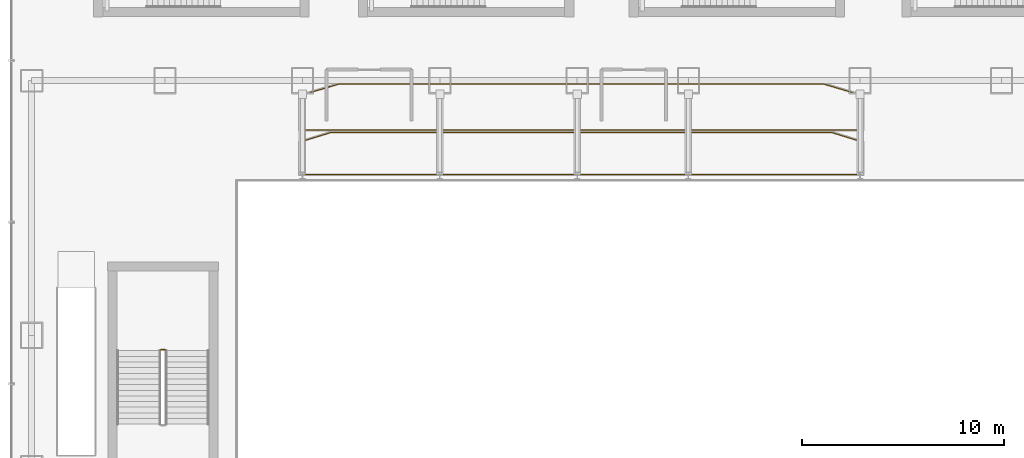
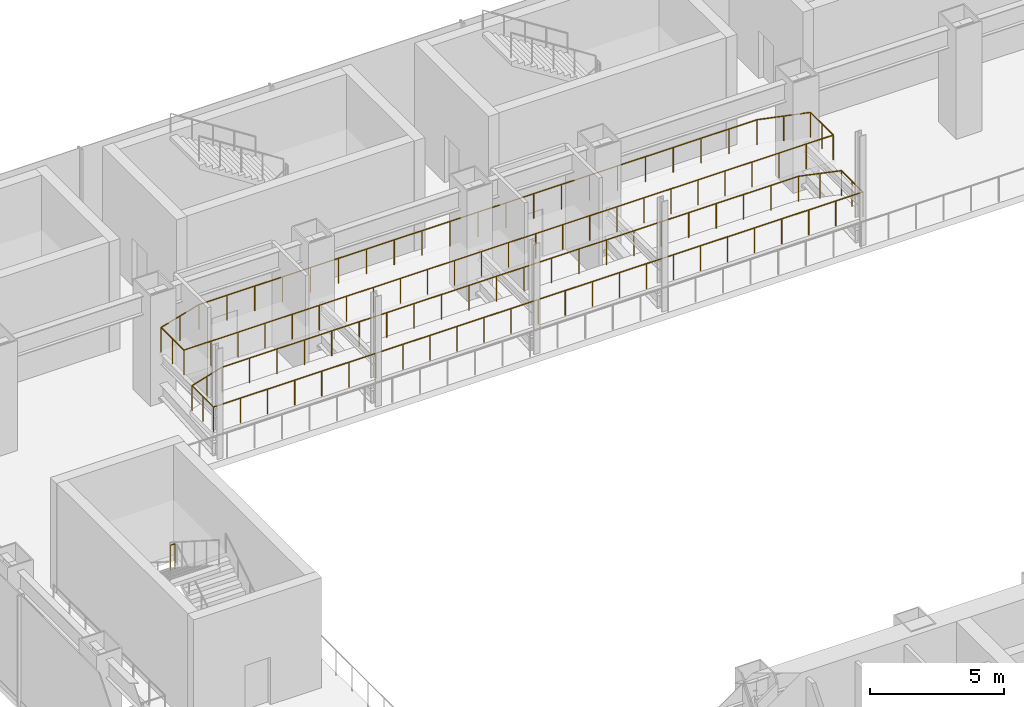
# One storey, part 35 of 39: 3 railings.
"""IFC4 building model written with IfcOpenShell, lengths in metres."""

from ifc_helpers import new_model, si_unit, derived_unit, direction, frame, origin, origin_2d, place, context, subcontext, project, spatial, circle, extrude, material, type_object, element, save


model = new_model("IFC4")

# Units and contexts
model_context = context("Model", 3, precision=1e-05, world=origin(), true_north=direction((0.0, 1.0)))
body_context = subcontext(model_context, "Body", "Model", "MODEL_VIEW")
ifc_project = project(units=[si_unit("LENGTHUNIT", "METRE"), si_unit("AREAUNIT", "SQUARE_METRE"), si_unit("VOLUMEUNIT", "CUBIC_METRE"), si_unit("PLANEANGLEUNIT", "RADIAN"), si_unit("MASSUNIT", "GRAM", prefix="KILO"), derived_unit("THERMALTRANSMITTANCEUNIT", [(si_unit("POWERUNIT", "WATT"), 1), (si_unit("LENGTHUNIT", "METRE"), -2), (si_unit("THERMODYNAMICTEMPERATUREUNIT", "KELVIN"), -1)])], contexts=[model_context])

# Site, building, storey
site_placement = place(None, origin())
site = spatial("IfcSite", under=ifc_project, at=site_placement, CompositionType="ELEMENT")
building_placement = place(site_placement, origin())
building = spatial("IfcBuilding", under=site, at=building_placement, Name="Skarnbrae Concourse Arena and Tower", CompositionType="ELEMENT")
storey_placement = place(building_placement, frame((0.0, 0.0, 11.0)))
storey = spatial("IfcBuildingStorey", under=building, at=storey_placement, Name="L02", CompositionType="ELEMENT", Elevation=11.0)

# Railings
ifc_material = material(Name="Steel CSA G40.21 350W", Category="steel")
railing_type_1 = type_object("IfcRailingType", Name="RAIL-GUARD-1150", PredefinedType="GUARDRAIL", material=ifc_material)
railing_1_placement = place(storey_placement, frame((14.260009765625, 42.360107421875, 1.1201171875)))
element("IfcRailing", 1, at=railing_1_placement, inside=storey, type_object=railing_type_1, Name="L02 Arena seating tier lower terrace guardrail", PredefinedType="GUARDRAIL", context=body_context, shape_type="SweptSolid", body=[
    extrude(circle(Radius=0.02392578125, at=origin_2d()), frame((0.0, 0.0, 1.1259765625), z_axis=(1.0, 0.0, 0.0), x_axis=(0.0, 1.0, 0.0)), (0.0, 0.0, 1.0), 27.8798828125),
    extrude(circle(Radius=0.02392578125, at=origin_2d()), frame((27.8798828125, 0.0, 1.1259765625), z_axis=(0.0, 1.0, 0.0), x_axis=(-1.0, 0.0, 0.0)), (0.0, 0.0, 1.0), 1.599853515625),
    extrude(circle(Radius=0.02392578125, at=origin_2d()), frame((27.8798828125, 1.599853515625, 1.1259765625), z_axis=(-0.955772539449, 0.29410687315, 0.0), x_axis=(-0.29410687315, -0.955772539449, 0.0)), (0.0, 0.0, 1.0), 1.632080078125),
    extrude(circle(Radius=0.02392578125, at=origin_2d()), frame((26.320068359375, 2.079833984375, 1.1259765625), z_axis=(-1.0, 0.0, 0.0), x_axis=(0.0, -1.0, 0.0)), (0.0, 0.0, 1.0), 24.760009765625),
    extrude(circle(Radius=0.02392578125, at=origin_2d()), frame((1.56005859375, 2.079833984375, 1.1259765625), z_axis=(-0.955785476607, -0.294064827388, 0.0), x_axis=(0.294064827388, -0.955785476607, 0.0)), (0.0, 0.0, 1.0), 1.63232421875),
    extrude(circle(Radius=0.02392578125, at=origin_2d()), frame((0.0, 1.599853515625, 1.1259765625), z_axis=(0.0, -1.0, 0.0), x_axis=(1.0, 0.0, 0.0)), (0.0, 0.0, 1.0), 1.599853515625),
    extrude(circle(Radius=0.02099609375, at=origin_2d()), origin(), (0.0, 0.0, 1.0), 1.101806640625),
    extrude(circle(Radius=0.02099609375, at=origin_2d()), frame((1.16162109375, 0.0, 0.0)), (0.0, 0.0, 1.0), 1.101806640625),
    extrude(circle(Radius=0.02099609375, at=origin_2d()), frame((2.3232421875, 0.0, 0.0)), (0.0, 0.0, 1.0), 1.101806640625),
    extrude(circle(Radius=0.02099609375, at=origin_2d()), frame((3.48486328125, 0.0, 0.0)), (0.0, 0.0, 1.0), 1.101806640625),
    extrude(circle(Radius=0.02099609375, at=origin_2d()), frame((4.646728515625, 0.0, 0.0)), (0.0, 0.0, 1.0), 1.101806640625),
    extrude(circle(Radius=0.02099609375, at=origin_2d()), frame((5.808349609375, 0.0, 0.0)), (0.0, 0.0, 1.0), 1.101806640625),
    extrude(circle(Radius=0.02099609375, at=origin_2d()), frame((6.969970703125, 0.0, 0.0)), (0.0, 0.0, 1.0), 1.101806640625),
    extrude(circle(Radius=0.02099609375, at=origin_2d()), frame((8.131591796875, 0.0, 0.0)), (0.0, 0.0, 1.0), 1.101806640625),
    extrude(circle(Radius=0.02099609375, at=origin_2d()), frame((9.293212890625, 0.0, 0.0)), (0.0, 0.0, 1.0), 1.101806640625),
    extrude(circle(Radius=0.02099609375, at=origin_2d()), frame((10.455078125, 0.0, 0.0)), (0.0, 0.0, 1.0), 1.101806640625),
    extrude(circle(Radius=0.02099609375, at=origin_2d()), frame((11.61669921875, 0.0, 0.0)), (0.0, 0.0, 1.0), 1.101806640625),
    extrude(circle(Radius=0.02099609375, at=origin_2d()), frame((12.7783203125, 0.0, 0.0)), (0.0, 0.0, 1.0), 1.101806640625),
    extrude(circle(Radius=0.02099609375, at=origin_2d()), frame((13.93994140625, 0.0, 0.0)), (0.0, 0.0, 1.0), 1.101806640625),
    extrude(circle(Radius=0.02099609375, at=origin_2d()), frame((15.1015625, 0.0, 0.0)), (0.0, 0.0, 1.0), 1.101806640625),
    extrude(circle(Radius=0.02099609375, at=origin_2d()), frame((16.26318359375, 0.0, 0.0)), (0.0, 0.0, 1.0), 1.101806640625),
    extrude(circle(Radius=0.02099609375, at=origin_2d()), frame((17.4248046875, 0.0, 0.0)), (0.0, 0.0, 1.0), 1.101806640625),
    extrude(circle(Radius=0.02099609375, at=origin_2d()), frame((18.586669921875, 0.0, 0.0)), (0.0, 0.0, 1.0), 1.101806640625),
    extrude(circle(Radius=0.02099609375, at=origin_2d()), frame((19.748291015625, 0.0, 0.0)), (0.0, 0.0, 1.0), 1.101806640625),
    extrude(circle(Radius=0.02099609375, at=origin_2d()), frame((20.909912109375, 0.0, 0.0)), (0.0, 0.0, 1.0), 1.101806640625),
    extrude(circle(Radius=0.02099609375, at=origin_2d()), frame((22.071533203125, 0.0, 0.0)), (0.0, 0.0, 1.0), 1.101806640625),
    extrude(circle(Radius=0.02099609375, at=origin_2d()), frame((23.233154296875, 0.0, 0.0)), (0.0, 0.0, 1.0), 1.101806640625),
    extrude(circle(Radius=0.02099609375, at=origin_2d()), frame((24.39501953125, 0.0, 0.0)), (0.0, 0.0, 1.0), 1.101806640625),
    extrude(circle(Radius=0.02099609375, at=origin_2d()), frame((25.556640625, 0.0, 0.0)), (0.0, 0.0, 1.0), 1.101806640625),
    extrude(circle(Radius=0.02099609375, at=origin_2d()), frame((26.71826171875, 0.0, 0.0)), (0.0, 0.0, 1.0), 1.101806640625),
    extrude(circle(Radius=0.02099609375, at=origin_2d()), frame((27.8798828125, 0.0, 0.0)), (0.0, 0.0, 1.0), 1.101806640625),
    extrude(circle(Radius=0.02099609375, at=origin_2d()), frame((27.8798828125, 0.7998046875, 0.0)), (0.0, 0.0, 1.0), 1.101806640625),
    extrude(circle(Radius=0.02099609375, at=origin_2d()), frame((27.8798828125, 1.599853515625, 0.0)), (0.0, 0.0, 1.0), 1.101806640625),
    extrude(circle(Radius=0.02099609375, at=origin_2d()), frame((27.10009765625, 1.83984375, 0.0)), (0.0, 0.0, 1.0), 1.101806640625),
    extrude(circle(Radius=0.02099609375, at=origin_2d()), frame((26.320068359375, 2.079833984375, 0.0)), (0.0, 0.0, 1.0), 1.101806640625),
    extrude(circle(Radius=0.02099609375, at=origin_2d()), frame((25.14111328125, 2.079833984375, 0.0)), (0.0, 0.0, 1.0), 1.101806640625),
    extrude(circle(Radius=0.02099609375, at=origin_2d()), frame((23.9619140625, 2.079833984375, 0.0)), (0.0, 0.0, 1.0), 1.101806640625),
    extrude(circle(Radius=0.02099609375, at=origin_2d()), frame((22.782958984375, 2.079833984375, 0.0)), (0.0, 0.0, 1.0), 1.101806640625),
    extrude(circle(Radius=0.02099609375, at=origin_2d()), frame((21.603759765625, 2.079833984375, 0.0)), (0.0, 0.0, 1.0), 1.101806640625),
    extrude(circle(Radius=0.02099609375, at=origin_2d()), frame((20.4248046875, 2.079833984375, 0.0)), (0.0, 0.0, 1.0), 1.101806640625),
    extrude(circle(Radius=0.02099609375, at=origin_2d()), frame((19.245849609375, 2.079833984375, 0.0)), (0.0, 0.0, 1.0), 1.101806640625),
    extrude(circle(Radius=0.02099609375, at=origin_2d()), frame((18.066650390625, 2.079833984375, 0.0)), (0.0, 0.0, 1.0), 1.101806640625),
    extrude(circle(Radius=0.02099609375, at=origin_2d()), frame((16.8876953125, 2.079833984375, 0.0)), (0.0, 0.0, 1.0), 1.101806640625),
    extrude(circle(Radius=0.02099609375, at=origin_2d()), frame((15.708740234375, 2.079833984375, 0.0)), (0.0, 0.0, 1.0), 1.101806640625),
    extrude(circle(Radius=0.02099609375, at=origin_2d()), frame((14.529541015625, 2.079833984375, 0.0)), (0.0, 0.0, 1.0), 1.101806640625),
    extrude(circle(Radius=0.02099609375, at=origin_2d()), frame((13.3505859375, 2.079833984375, 0.0)), (0.0, 0.0, 1.0), 1.101806640625),
    extrude(circle(Radius=0.02099609375, at=origin_2d()), frame((12.17138671875, 2.079833984375, 0.0)), (0.0, 0.0, 1.0), 1.101806640625),
    extrude(circle(Radius=0.02099609375, at=origin_2d()), frame((10.992431640625, 2.079833984375, 0.0)), (0.0, 0.0, 1.0), 1.101806640625),
    extrude(circle(Radius=0.02099609375, at=origin_2d()), frame((9.8134765625, 2.079833984375, 0.0)), (0.0, 0.0, 1.0), 1.101806640625),
    extrude(circle(Radius=0.02099609375, at=origin_2d()), frame((8.63427734375, 2.079833984375, 0.0)), (0.0, 0.0, 1.0), 1.101806640625),
    extrude(circle(Radius=0.02099609375, at=origin_2d()), frame((7.455322265625, 2.079833984375, 0.0)), (0.0, 0.0, 1.0), 1.101806640625),
    extrude(circle(Radius=0.02099609375, at=origin_2d()), frame((6.2763671875, 2.079833984375, 0.0)), (0.0, 0.0, 1.0), 1.101806640625),
    extrude(circle(Radius=0.02099609375, at=origin_2d()), frame((5.09716796875, 2.079833984375, 0.0)), (0.0, 0.0, 1.0), 1.101806640625),
    extrude(circle(Radius=0.02099609375, at=origin_2d()), frame((3.918212890625, 2.079833984375, 0.0)), (0.0, 0.0, 1.0), 1.101806640625),
    extrude(circle(Radius=0.02099609375, at=origin_2d()), frame((2.739013671875, 2.079833984375, 0.0)), (0.0, 0.0, 1.0), 1.101806640625),
    extrude(circle(Radius=0.02099609375, at=origin_2d()), frame((1.56005859375, 2.079833984375, 0.0)), (0.0, 0.0, 1.0), 1.101806640625),
    extrude(circle(Radius=0.02099609375, at=origin_2d()), frame((0.780029296875, 1.83984375, 0.0)), (0.0, 0.0, 1.0), 1.101806640625),
    extrude(circle(Radius=0.02099609375, at=origin_2d()), frame((0.0, 1.599853515625, 0.0)), (0.0, 0.0, 1.0), 1.101806640625),
    extrude(circle(Radius=0.02099609375, at=origin_2d()), frame((0.0, 0.7998046875, 0.0)), (0.0, 0.0, 1.0), 1.101806640625),
])
railing_2_placement = place(storey_placement, frame((14.260009765625, 44.56005859375, 2.3701171875)))
element("IfcRailing", 2, at=railing_2_placement, inside=storey, type_object=railing_type_1, Name="L02 Arena seating tier upper terrace guardrail", PredefinedType="GUARDRAIL", context=body_context, shape_type="SweptSolid", body=[
    extrude(circle(Radius=0.02392578125, at=origin_2d()), frame((0.0, 0.0, 1.1259765625), z_axis=(1.0, 0.0, 0.0), x_axis=(0.0, 1.0, 0.0)), (0.0, 0.0, 1.0), 27.8798828125),
    extrude(circle(Radius=0.02392578125, at=origin_2d()), frame((27.8798828125, 0.0, 1.1259765625), z_axis=(0.0, 1.0, 0.0), x_axis=(-1.0, 0.0, 0.0)), (0.0, 0.0, 1.0), 1.699951171875),
    extrude(circle(Radius=0.02392578125, at=origin_2d()), frame((27.8798828125, 1.699951171875, 1.1259765625), z_axis=(-0.958884825768, 0.283795508972, 0.0), x_axis=(-0.283795508972, -0.958884825768, 0.0)), (0.0, 0.0, 1.0), 2.0439453125),
    extrude(circle(Radius=0.02392578125, at=origin_2d()), frame((25.919921875, 2.280029296875, 1.1259765625), z_axis=(-1.0, 0.0, 0.0), x_axis=(0.0, -1.0, 0.0)), (0.0, 0.0, 1.0), 23.9599609375),
    extrude(circle(Radius=0.02392578125, at=origin_2d()), frame((1.9599609375, 2.280029296875, 1.1259765625), z_axis=(-0.958884825768, -0.283795508972, 0.0), x_axis=(0.283795508972, -0.958884825768, 0.0)), (0.0, 0.0, 1.0), 2.0439453125),
    extrude(circle(Radius=0.02392578125, at=origin_2d()), frame((0.0, 1.699951171875, 1.1259765625), z_axis=(0.0, -1.0, 0.0), x_axis=(1.0, 0.0, 0.0)), (0.0, 0.0, 1.0), 1.699951171875),
    extrude(circle(Radius=0.02099609375, at=origin_2d()), origin(), (0.0, 0.0, 1.0), 1.101806640625),
    extrude(circle(Radius=0.02099609375, at=origin_2d()), frame((1.16162109375, 0.0, 0.0)), (0.0, 0.0, 1.0), 1.101806640625),
    extrude(circle(Radius=0.02099609375, at=origin_2d()), frame((2.3232421875, 0.0, 0.0)), (0.0, 0.0, 1.0), 1.101806640625),
    extrude(circle(Radius=0.02099609375, at=origin_2d()), frame((3.48486328125, 0.0, 0.0)), (0.0, 0.0, 1.0), 1.101806640625),
    extrude(circle(Radius=0.02099609375, at=origin_2d()), frame((4.646728515625, 0.0, 0.0)), (0.0, 0.0, 1.0), 1.101806640625),
    extrude(circle(Radius=0.02099609375, at=origin_2d()), frame((5.808349609375, 0.0, 0.0)), (0.0, 0.0, 1.0), 1.101806640625),
    extrude(circle(Radius=0.02099609375, at=origin_2d()), frame((6.969970703125, 0.0, 0.0)), (0.0, 0.0, 1.0), 1.101806640625),
    extrude(circle(Radius=0.02099609375, at=origin_2d()), frame((8.131591796875, 0.0, 0.0)), (0.0, 0.0, 1.0), 1.101806640625),
    extrude(circle(Radius=0.02099609375, at=origin_2d()), frame((9.293212890625, 0.0, 0.0)), (0.0, 0.0, 1.0), 1.101806640625),
    extrude(circle(Radius=0.02099609375, at=origin_2d()), frame((10.455078125, 0.0, 0.0)), (0.0, 0.0, 1.0), 1.101806640625),
    extrude(circle(Radius=0.02099609375, at=origin_2d()), frame((11.61669921875, 0.0, 0.0)), (0.0, 0.0, 1.0), 1.101806640625),
    extrude(circle(Radius=0.02099609375, at=origin_2d()), frame((12.7783203125, 0.0, 0.0)), (0.0, 0.0, 1.0), 1.101806640625),
    extrude(circle(Radius=0.02099609375, at=origin_2d()), frame((13.93994140625, 0.0, 0.0)), (0.0, 0.0, 1.0), 1.101806640625),
    extrude(circle(Radius=0.02099609375, at=origin_2d()), frame((15.1015625, 0.0, 0.0)), (0.0, 0.0, 1.0), 1.101806640625),
    extrude(circle(Radius=0.02099609375, at=origin_2d()), frame((16.26318359375, 0.0, 0.0)), (0.0, 0.0, 1.0), 1.101806640625),
    extrude(circle(Radius=0.02099609375, at=origin_2d()), frame((17.4248046875, 0.0, 0.0)), (0.0, 0.0, 1.0), 1.101806640625),
    extrude(circle(Radius=0.02099609375, at=origin_2d()), frame((18.586669921875, 0.0, 0.0)), (0.0, 0.0, 1.0), 1.101806640625),
    extrude(circle(Radius=0.02099609375, at=origin_2d()), frame((19.748291015625, 0.0, 0.0)), (0.0, 0.0, 1.0), 1.101806640625),
    extrude(circle(Radius=0.02099609375, at=origin_2d()), frame((20.909912109375, 0.0, 0.0)), (0.0, 0.0, 1.0), 1.101806640625),
    extrude(circle(Radius=0.02099609375, at=origin_2d()), frame((22.071533203125, 0.0, 0.0)), (0.0, 0.0, 1.0), 1.101806640625),
    extrude(circle(Radius=0.02099609375, at=origin_2d()), frame((23.233154296875, 0.0, 0.0)), (0.0, 0.0, 1.0), 1.101806640625),
    extrude(circle(Radius=0.02099609375, at=origin_2d()), frame((24.39501953125, 0.0, 0.0)), (0.0, 0.0, 1.0), 1.101806640625),
    extrude(circle(Radius=0.02099609375, at=origin_2d()), frame((25.556640625, 0.0, 0.0)), (0.0, 0.0, 1.0), 1.101806640625),
    extrude(circle(Radius=0.02099609375, at=origin_2d()), frame((26.71826171875, 0.0, 0.0)), (0.0, 0.0, 1.0), 1.101806640625),
    extrude(circle(Radius=0.02099609375, at=origin_2d()), frame((27.8798828125, 0.0, 0.0)), (0.0, 0.0, 1.0), 1.101806640625),
    extrude(circle(Radius=0.02099609375, at=origin_2d()), frame((27.8798828125, 0.85009765625, 0.0)), (0.0, 0.0, 1.0), 1.101806640625),
    extrude(circle(Radius=0.02099609375, at=origin_2d()), frame((27.8798828125, 1.699951171875, 0.0)), (0.0, 0.0, 1.0), 1.101806640625),
    extrude(circle(Radius=0.02099609375, at=origin_2d()), frame((26.89990234375, 1.989990234375, 0.0)), (0.0, 0.0, 1.0), 1.101806640625),
    extrude(circle(Radius=0.02099609375, at=origin_2d()), frame((25.919921875, 2.280029296875, 0.0)), (0.0, 0.0, 1.0), 1.101806640625),
    extrude(circle(Radius=0.02099609375, at=origin_2d()), frame((24.721923828125, 2.280029296875, 0.0)), (0.0, 0.0, 1.0), 1.101806640625),
    extrude(circle(Radius=0.02099609375, at=origin_2d()), frame((23.52392578125, 2.280029296875, 0.0)), (0.0, 0.0, 1.0), 1.101806640625),
    extrude(circle(Radius=0.02099609375, at=origin_2d()), frame((22.325927734375, 2.280029296875, 0.0)), (0.0, 0.0, 1.0), 1.101806640625),
    extrude(circle(Radius=0.02099609375, at=origin_2d()), frame((21.1279296875, 2.280029296875, 0.0)), (0.0, 0.0, 1.0), 1.101806640625),
    extrude(circle(Radius=0.02099609375, at=origin_2d()), frame((19.929931640625, 2.280029296875, 0.0)), (0.0, 0.0, 1.0), 1.101806640625),
    extrude(circle(Radius=0.02099609375, at=origin_2d()), frame((18.73193359375, 2.280029296875, 0.0)), (0.0, 0.0, 1.0), 1.101806640625),
    extrude(circle(Radius=0.02099609375, at=origin_2d()), frame((17.533935546875, 2.280029296875, 0.0)), (0.0, 0.0, 1.0), 1.101806640625),
    extrude(circle(Radius=0.02099609375, at=origin_2d()), frame((16.3359375, 2.280029296875, 0.0)), (0.0, 0.0, 1.0), 1.101806640625),
    extrude(circle(Radius=0.02099609375, at=origin_2d()), frame((15.137939453125, 2.280029296875, 0.0)), (0.0, 0.0, 1.0), 1.101806640625),
    extrude(circle(Radius=0.02099609375, at=origin_2d()), frame((13.93994140625, 2.280029296875, 0.0)), (0.0, 0.0, 1.0), 1.101806640625),
    extrude(circle(Radius=0.02099609375, at=origin_2d()), frame((12.741943359375, 2.280029296875, 0.0)), (0.0, 0.0, 1.0), 1.101806640625),
    extrude(circle(Radius=0.02099609375, at=origin_2d()), frame((11.5439453125, 2.280029296875, 0.0)), (0.0, 0.0, 1.0), 1.101806640625),
    extrude(circle(Radius=0.02099609375, at=origin_2d()), frame((10.345947265625, 2.280029296875, 0.0)), (0.0, 0.0, 1.0), 1.101806640625),
    extrude(circle(Radius=0.02099609375, at=origin_2d()), frame((9.14794921875, 2.280029296875, 0.0)), (0.0, 0.0, 1.0), 1.101806640625),
    extrude(circle(Radius=0.02099609375, at=origin_2d()), frame((7.949951171875, 2.280029296875, 0.0)), (0.0, 0.0, 1.0), 1.101806640625),
    extrude(circle(Radius=0.02099609375, at=origin_2d()), frame((6.751953125, 2.280029296875, 0.0)), (0.0, 0.0, 1.0), 1.101806640625),
    extrude(circle(Radius=0.02099609375, at=origin_2d()), frame((5.553955078125, 2.280029296875, 0.0)), (0.0, 0.0, 1.0), 1.101806640625),
    extrude(circle(Radius=0.02099609375, at=origin_2d()), frame((4.35595703125, 2.280029296875, 0.0)), (0.0, 0.0, 1.0), 1.101806640625),
    extrude(circle(Radius=0.02099609375, at=origin_2d()), frame((3.157958984375, 2.280029296875, 0.0)), (0.0, 0.0, 1.0), 1.101806640625),
    extrude(circle(Radius=0.02099609375, at=origin_2d()), frame((1.9599609375, 2.280029296875, 0.0)), (0.0, 0.0, 1.0), 1.101806640625),
    extrude(circle(Radius=0.02099609375, at=origin_2d()), frame((0.97998046875, 1.989990234375, 0.0)), (0.0, 0.0, 1.0), 1.101806640625),
    extrude(circle(Radius=0.02099609375, at=origin_2d()), frame((0.0, 1.699951171875, 0.0)), (0.0, 0.0, 1.0), 1.101806640625),
    extrude(circle(Radius=0.02099609375, at=origin_2d()), frame((0.0, 0.85009765625, 0.0)), (0.0, 0.0, 1.0), 1.101806640625),
])
railing_type_2 = type_object("IfcRailingType", Name="RAIL-STAIR-GUARD-1150", PredefinedType="GUARDRAIL", material=ifc_material)
railing_3_placement = place(storey_placement, frame((7.60009765625, 33.68994140625, 2.5)))
element("IfcRailing", 3, at=railing_3_placement, inside=storey, type_object=railing_type_2, Name="L02 ST-A3 stair guard 2", PredefinedType="GUARDRAIL", context=body_context, shape_type="SweptSolid", body=[
    extrude(circle(Radius=0.02392578125, at=origin_2d()), frame((0.0, 0.0, 1.1259765625), z_axis=(-1.0, 0.0, 0.0), x_axis=(0.0, -1.0, 0.0)), (0.0, 0.0, 1.0), 0.2001953125),
    extrude(circle(Radius=0.02099609375, at=origin_2d()), origin(), (0.0, 0.0, 1.0), 1.101806640625),
    extrude(circle(Radius=0.02099609375, at=origin_2d()), frame((-0.2001953125, 0.0, 0.0)), (0.0, 0.0, 1.0), 1.101806640625),
])

save(model, "model.ifc")
